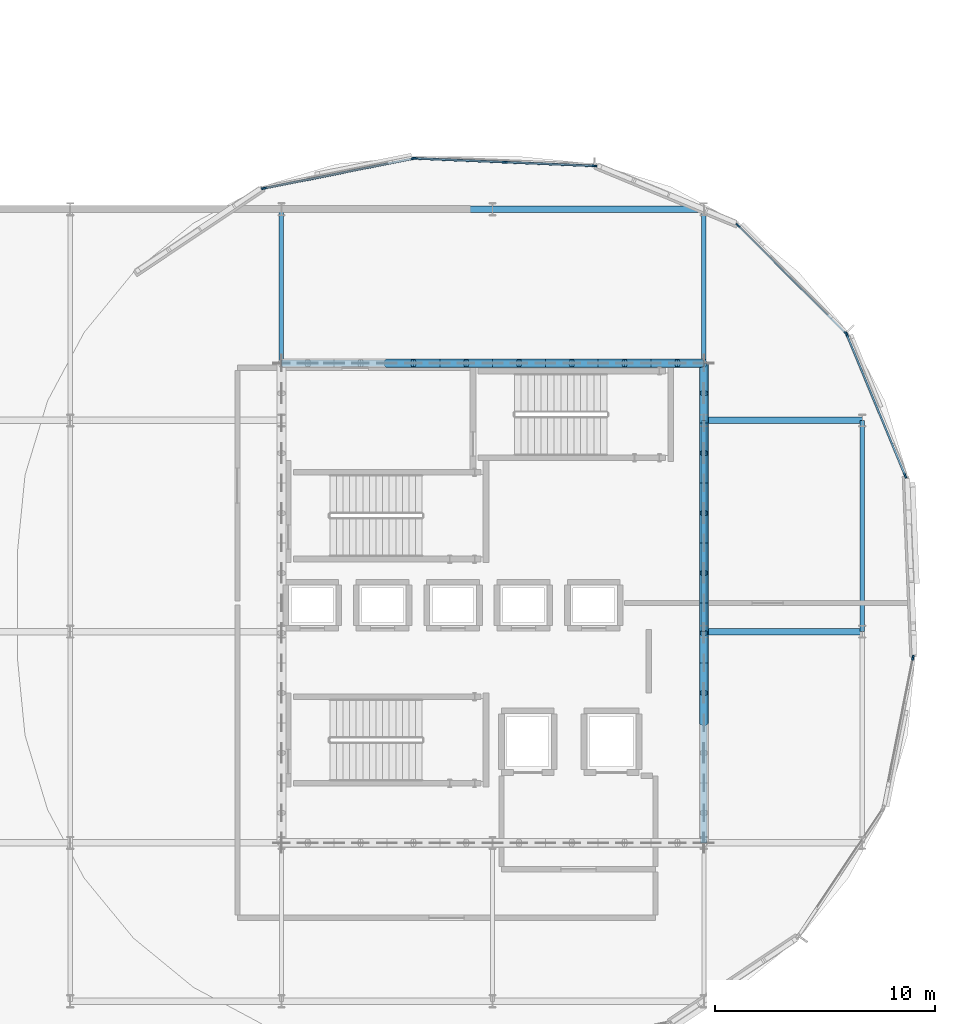
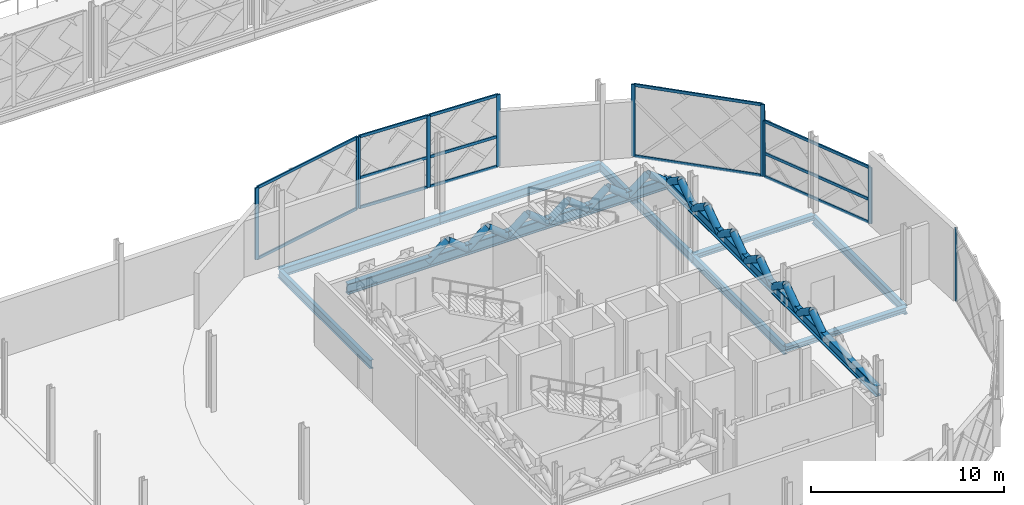
# One storey, part 34 of 77: 49 members, 8 beams, 5 elements without a shape of their own.
"""IFC4 building model written with IfcOpenShell, lengths in metres."""

from ifc_helpers import new_model, si_unit, direction, frame, origin, origin_2d, place, context, subcontext, project, spatial, rectangle, hollow_circle, i_section, extrude, material, layer, layer_set, material_profile, profile_set, type_object, element, aggregate, save


model = new_model("IFC4")

# Units and contexts
model_context = context("Model", 3, precision=1e-05, world=origin(), true_north=direction((0.0, 1.0)))
body_context = subcontext(model_context, "Body", "Model", "MODEL_VIEW")
ifc_project = project(units=[si_unit("LENGTHUNIT", "METRE"), si_unit("AREAUNIT", "SQUARE_METRE"), si_unit("VOLUMEUNIT", "CUBIC_METRE"), si_unit("PLANEANGLEUNIT", "RADIAN"), si_unit("MASSUNIT", "GRAM", prefix="KILO")], contexts=[model_context])

# Site, building, storey
site_placement = place(None, origin())
site = spatial("IfcSite", under=ifc_project, at=site_placement, CompositionType="ELEMENT")
building_placement = place(site_placement, origin())
building = spatial("IfcBuilding", under=site, at=building_placement, Name="Zevrakil Square Congress Hotel", CompositionType="ELEMENT")
storey_placement = place(building_placement, frame((0.0, 0.0, 9.89990234375)))
storey = spatial("IfcBuildingStorey", under=building, at=storey_placement, Name="L03", CompositionType="ELEMENT", Elevation=9.89990234375)

# Beams
ifc_material_1 = material(Name="Steel S355", Category="steel")
ifc_material_profile_1 = material_profile(ifc_material_1, i_section(OverallWidth=0.300048828125, OverallDepth=0.31005859375, WebThickness=0.009033203125, FlangeThickness=0.015380859375, FilletRadius=0.027099609375, at=origin_2d()), Name="HEA 320")
ifc_profile_set_1 = profile_set([ifc_material_profile_1], Name="Steel S355")
beam_type_1 = type_object("IfcBeamType", Name="BM-HEA320", PredefinedType="BEAM", material=ifc_profile_set_1)
for number, where, z_axis, x_axis, name in (
    (1, (156.0, 26.39990234375, -0.414794921875), (1.0, 0.0, 0.0), (0.0, 1.0, 0.0), "L03 primary girder BX-1006"),
    (2, (156.0, 36.0, -0.414794921875), (1.0, 0.0, 0.0), (0.0, 1.0, 0.0), "L03 primary girder BX-1017"),
):
    element("IfcBeam", number, at=place(storey_placement, frame(where, z_axis=z_axis, x_axis=x_axis)), inside=storey, type_object=beam_type_1, Name=name, PredefinedType="BEAM", context=body_context, shape_type="SweptSolid", body=[
        extrude(i_section(OverallWidth=0.300048828125, OverallDepth=0.31005859375, WebThickness=0.009033203125, FlangeThickness=0.015380859375, FilletRadius=0.027099609375, at=origin_2d()), origin(), (0.0, 0.0, 1.0), 7.199951171875),
    ])
ifc_material_2 = material(Name="Steel S355", Category="steel")
ifc_material_profile_2 = material_profile(ifc_material_2, i_section(OverallWidth=0.300048828125, OverallDepth=0.5400390625, WebThickness=0.012451171875, FlangeThickness=0.02392578125, FilletRadius=0.027099609375, at=origin_2d()), Name="HEA 550")
ifc_profile_set_2 = profile_set([ifc_material_profile_2], Name="Steel S355")
beam_type_2 = type_object("IfcBeamType", Name="BM-HEA550", PredefinedType="BEAM", material=ifc_profile_set_2)
beam_1_placement = place(storey_placement, frame((136.800048828125, 45.60009765625, -0.52978515625), z_axis=(1.0, 0.0, 0.0), x_axis=(0.0, 1.0, 0.0)))
element("IfcBeam", 3, at=beam_1_placement, inside=storey, type_object=beam_type_2, Name="L03 primary girder BX-1032", PredefinedType="BEAM", context=body_context, shape_type="SweptSolid", body=[
    extrude(i_section(OverallWidth=0.300048828125, OverallDepth=0.5400390625, WebThickness=0.012451171875, FlangeThickness=0.02392578125, FilletRadius=0.027099609375, at=origin_2d()), origin(), (0.0, 0.0, 1.0), 9.599853515625),
])
beam_2_placement = place(storey_placement, frame((146.39990234375, 45.60009765625, -0.52978515625), z_axis=(1.0, 0.0, 0.0), x_axis=(0.0, 1.0, 0.0)))
element("IfcBeam", 4, at=beam_2_placement, inside=storey, type_object=beam_type_2, Name="L03 primary girder BX-1033", PredefinedType="BEAM", context=body_context, shape_type="SweptSolid", body=[
    extrude(i_section(OverallWidth=0.300048828125, OverallDepth=0.5400390625, WebThickness=0.012451171875, FlangeThickness=0.02392578125, FilletRadius=0.027099609375, at=origin_2d()), origin(), (0.0, 0.0, 1.0), 9.60009765625),
])
ifc_material_3 = material(Name="Steel S355", Category="steel")
ifc_material_profile_3 = material_profile(ifc_material_3, i_section(OverallWidth=0.2099609375, OverallDepth=0.550048828125, WebThickness=0.010986328125, FlangeThickness=0.01708984375, FilletRadius=0.02392578125, at=origin_2d()), Name="IPE 550")
ifc_profile_set_3 = profile_set([ifc_material_profile_3], Name="Steel S355")
beam_type_3 = type_object("IfcBeamType", Name="BM-IPE550", PredefinedType="BEAM", material=ifc_profile_set_3)
for number, where, z_axis, x_axis, name in (
    (5, (136.800048828125, 36.0, -0.534912109375), (0.0, 1.0, 0.0), (-1.0, 0.0, 0.0), "L03 primary girder BY-1179"),
    (6, (156.0, 26.39990234375, -0.534912109375), (0.0, 1.0, 0.0), (-1.0, 0.0, 0.0), "L03 primary girder BY-1183"),
    (7, (156.0, 36.0, -0.534912109375), (0.0, 1.0, 0.0), (-1.0, 0.0, 0.0), "L03 primary girder BY-1184"),
    (8, (163.199951171875, 26.39990234375, -0.534912109375), (0.0, 1.0, 0.0), (-1.0, 0.0, 0.0), "L03 primary girder BY-1186"),
):
    element("IfcBeam", number, at=place(storey_placement, frame(where, z_axis=z_axis, x_axis=x_axis)), inside=storey, type_object=beam_type_3, Name=name, PredefinedType="BEAM", context=body_context, shape_type="SweptSolid", body=[
        extrude(i_section(OverallWidth=0.2099609375, OverallDepth=0.550048828125, WebThickness=0.010986328125, FlangeThickness=0.01708984375, FilletRadius=0.02392578125, at=origin_2d()), origin(), (0.0, 0.0, 1.0), 9.60009765625),
    ])

# Curtain wall, members
ifc_material_4 = material(Name="Aluminium Anodised Bronze", Category="aluminium")
ifc_layer_1 = layer(ifc_material_4, 0.179931640625)
ifc_layer_set_1 = layer_set([ifc_layer_1], Name="Aluminium Anodised Bronze")
curtain_wall_type_1 = type_object("IfcCurtainWallType", Name="CW-L03-720", PredefinedType="USERDEFINED", material=ifc_layer_set_1)
curtain_wall_1_placement = place(storey_placement, origin())
curtain_wall_1 = element("IfcCurtainWall", 9, at=curtain_wall_1_placement, inside=storey, type_object=curtain_wall_type_1, Name="L03 diamond curtain wall CW-L03-0164", ObjectType="GLAZED CURTAIN WALL", PredefinedType="USERDEFINED")
ifc_material_5 = material(Name="Aluminium Anodised Bronze", Category="aluminium")
ifc_material_profile_4 = material_profile(ifc_material_5, rectangle(XDim=0.0849609375, YDim=0.179931640625, at=origin_2d()), Name="ALU 85x180")
ifc_profile_set_4 = profile_set([ifc_material_profile_4], Name="Aluminium Anodised Bronze")
member_type_1 = type_object("IfcMemberType", Name="CWM-ALU85x180", PredefinedType="USERDEFINED", material=ifc_profile_set_4)
member_1_placement = place(storey_placement, frame((165.14208984375, 33.51318359375, 0.030029296875), z_axis=(-0.382678505582, 0.923881573236, 0.0), x_axis=(-0.923881573236, -0.382678505582, 0.0)))
member_1 = element("IfcMember", 10, at=member_1_placement, type_object=member_type_1, Name="CW-34 transom 1.1", ObjectType="TRANSOM", PredefinedType="USERDEFINED", context=body_context, shape_type="SweptSolid", body=[
    extrude(rectangle(XDim=0.0849609375, YDim=0.179931640625, at=origin_2d()), origin(), (0.0, 0.0, 1.0), 6.8857421875),
])
member_2_placement = place(storey_placement, frame((165.14208984375, 33.51318359375, 1.48486328125), z_axis=(-0.382678505582, 0.923881573236, 0.0), x_axis=(-0.923881573236, -0.382678505582, 0.0)))
member_2 = element("IfcMember", 11, at=member_2_placement, type_object=member_type_1, Name="CW-34 transom 1.2", ObjectType="TRANSOM", PredefinedType="USERDEFINED", context=body_context, shape_type="SweptSolid", body=[
    extrude(rectangle(XDim=0.0849609375, YDim=0.179931640625, at=origin_2d()), origin(), (0.0, 0.0, 1.0), 6.8857421875),
])
member_3_placement = place(storey_placement, frame((165.14208984375, 33.51318359375, 3.505126953125), z_axis=(-0.382678505582, 0.923881573236, 0.0), x_axis=(-0.923881573236, -0.382678505582, 0.0)))
member_3 = element("IfcMember", 12, at=member_3_placement, type_object=member_type_1, Name="CW-34 transom 1.3", ObjectType="TRANSOM", PredefinedType="USERDEFINED", context=body_context, shape_type="SweptSolid", body=[
    extrude(rectangle(XDim=0.0849609375, YDim=0.179931640625, at=origin_2d()), origin(), (0.0, 0.0, 1.0), 6.8857421875),
])

curtain_wall_2_placement = place(storey_placement, origin())
curtain_wall_2 = element("IfcCurtainWall", 13, at=curtain_wall_2_placement, inside=storey, type_object=curtain_wall_type_1, Name="L03 diamond curtain wall CW-L03-0165", ObjectType="GLAZED CURTAIN WALL", PredefinedType="USERDEFINED")
member_4_placement = place(storey_placement, frame((162.441650390625, 39.97265625, 0.030029296875), z_axis=(-0.707106781187, 0.707106781187, 0.0), x_axis=(-0.707106781187, -0.707106781187, 0.0)))
member_4 = element("IfcMember", 14, at=member_4_placement, type_object=member_type_1, Name="CW-34 transom 1.1", ObjectType="TRANSOM", PredefinedType="USERDEFINED", context=body_context, shape_type="SweptSolid", body=[
    extrude(rectangle(XDim=0.0849609375, YDim=0.179931640625, at=origin_2d()), origin(), (0.0, 0.0, 1.0), 6.8857421875),
])
member_5_placement = place(storey_placement, frame((162.441650390625, 39.97265625, 4.510009765625), z_axis=(-0.707106781187, 0.707106781187, 0.0), x_axis=(-0.707106781187, -0.707106781187, 0.0)))
member_5 = element("IfcMember", 15, at=member_5_placement, type_object=member_type_1, Name="CW-34 transom 1.2", ObjectType="TRANSOM", PredefinedType="USERDEFINED", context=body_context, shape_type="SweptSolid", body=[
    extrude(rectangle(XDim=0.0849609375, YDim=0.179931640625, at=origin_2d()), origin(), (0.0, 0.0, 1.0), 6.8857421875),
])

ifc_material_6 = material(Name="Aluminium Anodised Bronze", Category="aluminium")
ifc_layer_2 = layer(ifc_material_6, 0.179931640625)
ifc_layer_set_2 = layer_set([ifc_layer_2], Name="Aluminium Anodised Bronze")
curtain_wall_type_2 = type_object("IfcCurtainWallType", Name="CW-L03-840", PredefinedType="USERDEFINED", material=ifc_layer_set_2)
curtain_wall_3_placement = place(storey_placement, origin())
curtain_wall_3 = element("IfcCurtainWall", 16, at=curtain_wall_3_placement, inside=storey, type_object=curtain_wall_type_2, Name="L03 diamond curtain wall CW-L03-0166", ObjectType="GLAZED CURTAIN WALL", PredefinedType="USERDEFINED")
member_6_placement = place(storey_placement, frame((150.997802734375, 47.567626953125, 0.030029296875), z_axis=(-0.999119017482, 0.04196652125, 0.0), x_axis=(-0.04196652125, -0.999119017482, 0.0)))
member_6 = element("IfcMember", 17, at=member_6_placement, type_object=member_type_1, Name="CW-35 transom 1.1", ObjectType="TRANSOM", PredefinedType="USERDEFINED", context=body_context, shape_type="SweptSolid", body=[
    extrude(rectangle(XDim=0.0849609375, YDim=0.179931640625, at=origin_2d()), origin(), (0.0, 0.0, 1.0), 4.02001953125),
])
member_7_placement = place(storey_placement, frame((150.997802734375, 47.567626953125, 1.906982421875), z_axis=(-0.999119017482, 0.04196652125, 0.0), x_axis=(-0.04196652125, -0.999119017482, 0.0)))
member_7 = element("IfcMember", 18, at=member_7_placement, type_object=member_type_1, Name="CW-35 transom 1.2", ObjectType="TRANSOM", PredefinedType="USERDEFINED", context=body_context, shape_type="SweptSolid", body=[
    extrude(rectangle(XDim=0.0849609375, YDim=0.179931640625, at=origin_2d()), origin(), (0.0, 0.0, 1.0), 4.02001953125),
])
member_8_placement = place(storey_placement, frame((150.997802734375, 47.567626953125, 4.510009765625), z_axis=(-0.999119017482, 0.04196652125, 0.0), x_axis=(-0.04196652125, -0.999119017482, 0.0)))
member_8 = element("IfcMember", 19, at=member_8_placement, type_object=member_type_1, Name="CW-35 transom 1.3", ObjectType="TRANSOM", PredefinedType="USERDEFINED", context=body_context, shape_type="SweptSolid", body=[
    extrude(rectangle(XDim=0.0849609375, YDim=0.179931640625, at=origin_2d()), origin(), (0.0, 0.0, 1.0), 4.02001953125),
])
member_9_placement = place(storey_placement, frame((146.92138671875, 47.73876953125, 0.030029296875), z_axis=(-0.999119017482, 0.04196652125, 0.0), x_axis=(-0.04196652125, -0.999119017482, 0.0)))
member_9 = element("IfcMember", 20, at=member_9_placement, type_object=member_type_1, Name="CW-35 transom 2.1", ObjectType="TRANSOM", PredefinedType="USERDEFINED", context=body_context, shape_type="SweptSolid", body=[
    extrude(rectangle(XDim=0.0849609375, YDim=0.179931640625, at=origin_2d()), origin(), (0.0, 0.0, 1.0), 4.02001953125),
])
member_10_placement = place(storey_placement, frame((146.92138671875, 47.73876953125, 1.906982421875), z_axis=(-0.999119017482, 0.04196652125, 0.0), x_axis=(-0.04196652125, -0.999119017482, 0.0)))
member_10 = element("IfcMember", 21, at=member_10_placement, type_object=member_type_1, Name="CW-35 transom 2.2", ObjectType="TRANSOM", PredefinedType="USERDEFINED", context=body_context, shape_type="SweptSolid", body=[
    extrude(rectangle(XDim=0.0849609375, YDim=0.179931640625, at=origin_2d()), origin(), (0.0, 0.0, 1.0), 4.02001953125),
])
member_11_placement = place(storey_placement, frame((146.92138671875, 47.73876953125, 4.510009765625), z_axis=(-0.999119017482, 0.04196652125, 0.0), x_axis=(-0.04196652125, -0.999119017482, 0.0)))
member_11 = element("IfcMember", 22, at=member_11_placement, type_object=member_type_1, Name="CW-35 transom 2.3", ObjectType="TRANSOM", PredefinedType="USERDEFINED", context=body_context, shape_type="SweptSolid", body=[
    extrude(rectangle(XDim=0.0849609375, YDim=0.179931640625, at=origin_2d()), origin(), (0.0, 0.0, 1.0), 4.02001953125),
])

curtain_wall_4_placement = place(storey_placement, origin())
curtain_wall_4 = element("IfcCurtainWall", 23, at=curtain_wall_4_placement, inside=storey, type_object=curtain_wall_type_1, Name="L03 diamond curtain wall CW-L03-0167", ObjectType="GLAZED CURTAIN WALL", PredefinedType="USERDEFINED")
member_12_placement = place(storey_placement, frame((142.7861328125, 47.898193359375, 0.030029296875), z_axis=(-0.98078740996, -0.195079615704, 0.0), x_axis=(0.195079615704, -0.98078740996, 0.0)))
member_12 = element("IfcMember", 24, at=member_12_placement, type_object=member_type_1, Name="CW-34 transom 1.1", ObjectType="TRANSOM", PredefinedType="USERDEFINED", context=body_context, shape_type="SweptSolid", body=[
    extrude(rectangle(XDim=0.0849609375, YDim=0.179931640625, at=origin_2d()), origin(), (0.0, 0.0, 1.0), 6.8857421875),
])
member_13_placement = place(storey_placement, frame((142.7861328125, 47.898193359375, 4.510009765625), z_axis=(-0.98078740996, -0.195079615704, 0.0), x_axis=(0.195079615704, -0.98078740996, 0.0)))
member_13 = element("IfcMember", 25, at=member_13_placement, type_object=member_type_1, Name="CW-34 transom 1.2", ObjectType="TRANSOM", PredefinedType="USERDEFINED", context=body_context, shape_type="SweptSolid", body=[
    extrude(rectangle(XDim=0.0849609375, YDim=0.179931640625, at=origin_2d()), origin(), (0.0, 0.0, 1.0), 6.8857421875),
])

# Curtain wall, member
curtain_wall_5_placement = place(storey_placement, origin())
curtain_wall_5 = element("IfcCurtainWall", 26, at=curtain_wall_5_placement, inside=storey, type_object=curtain_wall_type_1, Name="L03 diamond curtain wall CW-L03-0163", ObjectType="GLAZED CURTAIN WALL", PredefinedType="USERDEFINED")
ifc_material_7 = material(Name="Aluminium Anodised Bronze", Category="aluminium")
ifc_material_profile_5 = material_profile(ifc_material_7, rectangle(XDim=0.0849609375, YDim=0.219970703125, at=origin_2d()), Name="ALU 85x220")
ifc_profile_set_5 = profile_set([ifc_material_profile_5], Name="Aluminium Anodised Bronze")
member_type_2 = type_object("IfcMemberType", Name="CWM-ALU85x220", PredefinedType="MULLION", material=ifc_profile_set_5)
member_14_placement = place(storey_placement, frame((165.504150390625, 25.215576171875, 0.0), z_axis=(0.0, 0.0, 1.0), x_axis=(-0.980786557708, 0.195083900459, 0.0)))
member_14 = element("IfcMember", 27, at=member_14_placement, type_object=member_type_2, Name="CW-34 mullion 2", PredefinedType="MULLION", context=body_context, shape_type="SweptSolid", body=[
    extrude(rectangle(XDim=0.0849609375, YDim=0.219970703125, at=origin_2d()), origin(), (0.0, 0.0, 1.0), 4.5400390625),
])
aggregate(curtain_wall_5, [member_14])

# Member
member_15_placement = place(storey_placement, frame((165.153564453125, 33.485595703125, 0.0), z_axis=(0.0, 0.0, 1.0), x_axis=(-0.92387939537, -0.382683763454, 0.0)))
member_15 = element("IfcMember", 28, at=member_15_placement, type_object=member_type_2, Name="CW-34 mullion 1", PredefinedType="MULLION", context=body_context, shape_type="SweptSolid", body=[
    extrude(rectangle(XDim=0.0849609375, YDim=0.219970703125, at=origin_2d()), origin(), (0.0, 0.0, 1.0), 3.53515625),
])

member_16_placement = place(storey_placement, frame((162.495361328125, 39.902587890625, 0.0), z_axis=(0.0, 0.0, 1.0), x_axis=(-0.92387939537, -0.382683763454, 0.0)))
member_16 = element("IfcMember", 29, at=member_16_placement, type_object=member_type_2, Name="CW-34 mullion 2", PredefinedType="MULLION", context=body_context, shape_type="SweptSolid", body=[
    extrude(rectangle(XDim=0.0849609375, YDim=0.219970703125, at=origin_2d()), origin(), (0.0, 0.0, 1.0), 3.53515625),
])

aggregate(curtain_wall_1, [member_15, member_16, member_1, member_2, member_3])

member_17_placement = place(storey_placement, frame((162.462890625, 39.951416015625, 0.0), z_axis=(0.0, 0.0, 1.0), x_axis=(-0.707106781187, -0.707106781187, 0.0)))
member_17 = element("IfcMember", 30, at=member_17_placement, type_object=member_type_2, Name="CW-34 mullion 1", PredefinedType="MULLION", context=body_context, shape_type="SweptSolid", body=[
    extrude(rectangle(XDim=0.0849609375, YDim=0.219970703125, at=origin_2d()), origin(), (0.0, 0.0, 1.0), 4.5400390625),
])

member_18_placement = place(storey_placement, frame((157.551513671875, 44.86279296875, 0.0), z_axis=(0.0, 0.0, 1.0), x_axis=(-0.707106781187, -0.707106781187, 0.0)))
member_18 = element("IfcMember", 31, at=member_18_placement, type_object=member_type_2, Name="CW-34 mullion 2", PredefinedType="MULLION", context=body_context, shape_type="SweptSolid", body=[
    extrude(rectangle(XDim=0.0849609375, YDim=0.219970703125, at=origin_2d()), origin(), (0.0, 0.0, 1.0), 4.5400390625),
])

aggregate(curtain_wall_2, [member_17, member_18, member_4, member_5])

member_19_placement = place(storey_placement, frame((151.02783203125, 47.566162109375, 0.0), z_axis=(0.0, 0.0, 1.0), x_axis=(-0.041970582763, -0.999118846876, 0.0)))
member_19 = element("IfcMember", 32, at=member_19_placement, type_object=member_type_2, Name="CW-35 mullion 1", PredefinedType="MULLION", context=body_context, shape_type="SweptSolid", body=[
    extrude(rectangle(XDim=0.0849609375, YDim=0.219970703125, at=origin_2d()), origin(), (0.0, 0.0, 1.0), 4.5400390625),
])

member_20_placement = place(storey_placement, frame((146.951416015625, 47.737548828125, 0.0), z_axis=(0.0, 0.0, 1.0), x_axis=(-0.041970582763, -0.999118846876, 0.0)))
member_20 = element("IfcMember", 33, at=member_20_placement, type_object=member_type_2, Name="CW-35 mullion 2", PredefinedType="MULLION", context=body_context, shape_type="SweptSolid", body=[
    extrude(rectangle(XDim=0.0849609375, YDim=0.219970703125, at=origin_2d()), origin(), (0.0, 0.0, 1.0), 4.5400390625),
])

member_21_placement = place(storey_placement, frame((142.875, 47.90869140625, 0.0), z_axis=(0.0, 0.0, 1.0), x_axis=(-0.041970582763, -0.999118846876, 0.0)))
member_21 = element("IfcMember", 34, at=member_21_placement, type_object=member_type_2, Name="CW-35 mullion 3", PredefinedType="MULLION", context=body_context, shape_type="SweptSolid", body=[
    extrude(rectangle(XDim=0.0849609375, YDim=0.219970703125, at=origin_2d()), origin(), (0.0, 0.0, 1.0), 4.5400390625),
])

aggregate(curtain_wall_3, [member_19, member_20, member_21, member_6, member_7, member_8, member_9, member_10, member_11])

member_22_placement = place(storey_placement, frame((142.815673828125, 47.904052734375, 0.0), z_axis=(0.0, 0.0, 1.0), x_axis=(0.195083900459, -0.980786557708, 0.0)))
member_22 = element("IfcMember", 35, at=member_22_placement, type_object=member_type_2, Name="CW-34 mullion 1", PredefinedType="MULLION", context=body_context, shape_type="SweptSolid", body=[
    extrude(rectangle(XDim=0.0849609375, YDim=0.219970703125, at=origin_2d()), origin(), (0.0, 0.0, 1.0), 4.5400390625),
])

member_23_placement = place(storey_placement, frame((136.00341796875, 46.549072265625, 0.0), z_axis=(0.0, 0.0, 1.0), x_axis=(0.195083900459, -0.980786557708, 0.0)))
member_23 = element("IfcMember", 36, at=member_23_placement, type_object=member_type_2, Name="CW-34 mullion 2", PredefinedType="MULLION", context=body_context, shape_type="SweptSolid", body=[
    extrude(rectangle(XDim=0.0849609375, YDim=0.219970703125, at=origin_2d()), origin(), (0.0, 0.0, 1.0), 4.5400390625),
])

aggregate(curtain_wall_4, [member_22, member_23, member_12, member_13])

# Members
ifc_material_8 = material(Name="Steel S355", Category="steel")
ifc_material_profile_6 = material_profile(ifc_material_8, hollow_circle(Radius=0.203125, WallThickness=0.02001953125, at=origin_2d()), Name="CHS 406.4x20")
ifc_profile_set_6 = profile_set([ifc_material_profile_6], Name="Steel S355")
member_type_3 = type_object("IfcMemberType", Name="MEM-BRACE-CHS406", PredefinedType="BRACE", material=ifc_profile_set_6)
for number, where, z_axis, x_axis, name in (
    (37, (156.0, 22.25, 2.7001953125), (0.0, 0.82031458275, 0.571912567905), (-1.0, 0.0, 0.0), "L03 Warren transfer diagonal TT-02-D1-3"),
    (38, (156.0, 23.612548828125, 3.650146484375), (0.0, 0.82031458275, -0.571912567905), (-1.0, 0.0, 0.0), "L03 Warren transfer diagonal TT-02-D2-3"),
    (39, (156.0, 24.97509765625, 2.7001953125), (0.0, 0.820266498124, 0.571981531219), (-1.0, 0.0, 0.0), "L03 Warren transfer diagonal TT-02-D1-4"),
    (40, (156.0, 26.33740234375, 3.650146484375), (0.0, 0.82031458275, -0.571912567905), (-1.0, 0.0, 0.0), "L03 Warren transfer diagonal TT-02-D2-4"),
    (41, (156.0, 27.699951171875, 2.7001953125), (0.0, 0.82031458275, 0.571912567905), (-1.0, 0.0, 0.0), "L03 Warren transfer diagonal TT-02-D1-5"),
    (42, (156.0, 29.0625, 3.650146484375), (0.0, 0.82031458275, -0.571912567905), (-1.0, 0.0, 0.0), "L03 Warren transfer diagonal TT-02-D2-5"),
    (43, (156.0, 30.425048828125, 2.7001953125), (0.0, 0.82031458275, 0.571912567905), (-1.0, 0.0, 0.0), "L03 Warren transfer diagonal TT-02-D1-6"),
    (44, (156.0, 31.78759765625, 3.650146484375), (0.0, 0.820266498124, -0.571981531219), (-1.0, 0.0, 0.0), "L03 Warren transfer diagonal TT-02-D2-6"),
    (45, (156.0, 33.14990234375, 2.7001953125), (0.0, 0.82031458275, 0.571912567905), (-1.0, 0.0, 0.0), "L03 Warren transfer diagonal TT-02-D1-7"),
    (46, (156.0, 34.512451171875, 3.650146484375), (0.0, 0.82031458275, -0.571912567905), (-1.0, 0.0, 0.0), "L03 Warren transfer diagonal TT-02-D2-7"),
    (47, (156.0, 35.875, 2.7001953125), (0.0, 0.82031458275, 0.571912567905), (-1.0, 0.0, 0.0), "L03 Warren transfer diagonal TT-02-D1-8"),
    (48, (156.0, 37.237548828125, 3.650146484375), (0.0, 0.82031458275, -0.571912567905), (-1.0, 0.0, 0.0), "L03 Warren transfer diagonal TT-02-D2-8"),
):
    element("IfcMember", number, at=place(storey_placement, frame(where, z_axis=z_axis, x_axis=x_axis)), inside=storey, type_object=member_type_3, Name=name, PredefinedType="BRACE", context=body_context, shape_type="SweptSolid", body=[
        extrude(hollow_circle(Radius=0.203125, WallThickness=0.02001953125, at=origin_2d()), origin(), (0.0, 0.0, 1.0), 1.660888671875),
    ])
for number, where, z_axis, x_axis, name in (
    (49, (141.60009765625, 38.60009765625, 2.7001953125), (0.784049059149, 0.0, 0.620698858423), (0.0, 1.0, 0.0), "L03 Warren transfer diagonal TT-03-D1-3"),
    (50, (142.800048828125, 38.60009765625, 3.650146484375), (0.784049059149, 0.0, -0.620698858423), (0.0, 1.0, 0.0), "L03 Warren transfer diagonal TT-03-D2-3"),
    (51, (144.0, 38.60009765625, 2.7001953125), (0.784049059149, 0.0, 0.620698858423), (0.0, 1.0, 0.0), "L03 Warren transfer diagonal TT-03-D1-4"),
    (52, (145.199951171875, 38.60009765625, 3.650146484375), (0.784049059149, 0.0, -0.620698858423), (0.0, 1.0, 0.0), "L03 Warren transfer diagonal TT-03-D2-4"),
):
    element("IfcMember", number, at=place(storey_placement, frame(where, z_axis=z_axis, x_axis=x_axis)), inside=storey, type_object=member_type_3, Name=name, PredefinedType="BRACE", context=body_context, shape_type="SweptSolid", body=[
        extrude(hollow_circle(Radius=0.203125, WallThickness=0.02001953125, at=origin_2d()), origin(), (0.0, 0.0, 1.0), 1.530517578125),
    ])
member_24_placement = place(storey_placement, frame((146.39990234375, 38.60009765625, 2.7001953125), z_axis=(0.784110506071, 0.0, 0.620621232531), x_axis=(0.0, 1.0, 0.0)))
element("IfcMember", 53, at=member_24_placement, inside=storey, type_object=member_type_3, Name="L03 Warren transfer diagonal TT-03-D1-5", PredefinedType="BRACE", context=body_context, shape_type="SweptSolid", body=[
    extrude(hollow_circle(Radius=0.203125, WallThickness=0.02001953125, at=origin_2d()), origin(), (0.0, 0.0, 1.0), 1.53076171875),
])
for number, where, z_axis, x_axis, name in (
    (54, (147.60009765625, 38.60009765625, 3.650146484375), (0.784049059149, 0.0, -0.620698858423), (0.0, 1.0, 0.0), "L03 Warren transfer diagonal TT-03-D2-5"),
    (55, (148.800048828125, 38.60009765625, 2.7001953125), (0.784049059149, 0.0, 0.620698858423), (0.0, 1.0, 0.0), "L03 Warren transfer diagonal TT-03-D1-6"),
    (56, (150.0, 38.60009765625, 3.650146484375), (0.784049059149, 0.0, -0.620698858423), (0.0, 1.0, 0.0), "L03 Warren transfer diagonal TT-03-D2-6"),
    (57, (151.199951171875, 38.60009765625, 2.7001953125), (0.784049059149, 0.0, 0.620698858423), (0.0, 1.0, 0.0), "L03 Warren transfer diagonal TT-03-D1-7"),
):
    element("IfcMember", number, at=place(storey_placement, frame(where, z_axis=z_axis, x_axis=x_axis)), inside=storey, type_object=member_type_3, Name=name, PredefinedType="BRACE", context=body_context, shape_type="SweptSolid", body=[
        extrude(hollow_circle(Radius=0.203125, WallThickness=0.02001953125, at=origin_2d()), origin(), (0.0, 0.0, 1.0), 1.530517578125),
    ])
member_25_placement = place(storey_placement, frame((152.39990234375, 38.60009765625, 3.650146484375), z_axis=(0.784110506071, 0.0, -0.620621232531), x_axis=(0.0, 1.0, 0.0)))
element("IfcMember", 58, at=member_25_placement, inside=storey, type_object=member_type_3, Name="L03 Warren transfer diagonal TT-03-D2-7", PredefinedType="BRACE", context=body_context, shape_type="SweptSolid", body=[
    extrude(hollow_circle(Radius=0.203125, WallThickness=0.02001953125, at=origin_2d()), origin(), (0.0, 0.0, 1.0), 1.53076171875),
])
for number, where, z_axis, x_axis, name in (
    (59, (153.60009765625, 38.60009765625, 2.7001953125), (0.784049059149, 0.0, 0.620698858423), (0.0, 1.0, 0.0), "L03 Warren transfer diagonal TT-03-D1-8"),
    (60, (154.800048828125, 38.60009765625, 3.650146484375), (0.784049059149, 0.0, -0.620698858423), (0.0, 1.0, 0.0), "L03 Warren transfer diagonal TT-03-D2-8"),
):
    element("IfcMember", number, at=place(storey_placement, frame(where, z_axis=z_axis, x_axis=x_axis)), inside=storey, type_object=member_type_3, Name=name, PredefinedType="BRACE", context=body_context, shape_type="SweptSolid", body=[
        extrude(hollow_circle(Radius=0.203125, WallThickness=0.02001953125, at=origin_2d()), origin(), (0.0, 0.0, 1.0), 1.530517578125),
    ])
ifc_material_9 = material(Name="Steel S355", Category="steel")
ifc_material_profile_7 = material_profile(ifc_material_9, i_section(OverallWidth=0.304931640625, OverallDepth=0.66796875, WebThickness=0.02099609375, FlangeThickness=0.0400390625, FilletRadius=0.027099609375, at=origin_2d()), Name="HEM 650")
ifc_profile_set_7 = profile_set([ifc_material_profile_7], Name="Steel S355")
member_type_4 = type_object("IfcMemberType", Name="MEM-CHORD-HEM650", PredefinedType="CHORD", material=ifc_profile_set_7)
member_26_placement = place(storey_placement, frame((156.0, 16.800048828125, 2.7001953125), z_axis=(0.0, 1.0, 0.0), x_axis=(-1.0, 0.0, 0.0)))
element("IfcMember", 61, at=member_26_placement, inside=storey, type_object=member_type_4, Name="L03 Warren transfer truss TT-02 bottom chord", PredefinedType="CHORD", context=body_context, shape_type="SweptSolid", body=[
    extrude(i_section(OverallWidth=0.304931640625, OverallDepth=0.66796875, WebThickness=0.02099609375, FlangeThickness=0.0400390625, FilletRadius=0.027099609375, at=origin_2d()), origin(), (0.0, 0.0, 1.0), 21.800048828125),
])
member_27_placement = place(storey_placement, frame((136.800048828125, 38.60009765625, 2.7001953125), z_axis=(1.0, 0.0, 0.0), x_axis=(0.0, 1.0, 0.0)))
element("IfcMember", 62, at=member_27_placement, inside=storey, type_object=member_type_4, Name="L03 Warren transfer truss TT-03 bottom chord", PredefinedType="CHORD", context=body_context, shape_type="SweptSolid", body=[
    extrude(i_section(OverallWidth=0.304931640625, OverallDepth=0.66796875, WebThickness=0.02099609375, FlangeThickness=0.0400390625, FilletRadius=0.027099609375, at=origin_2d()), origin(), (0.0, 0.0, 1.0), 19.199951171875),
])

save(model, "model.ifc")
